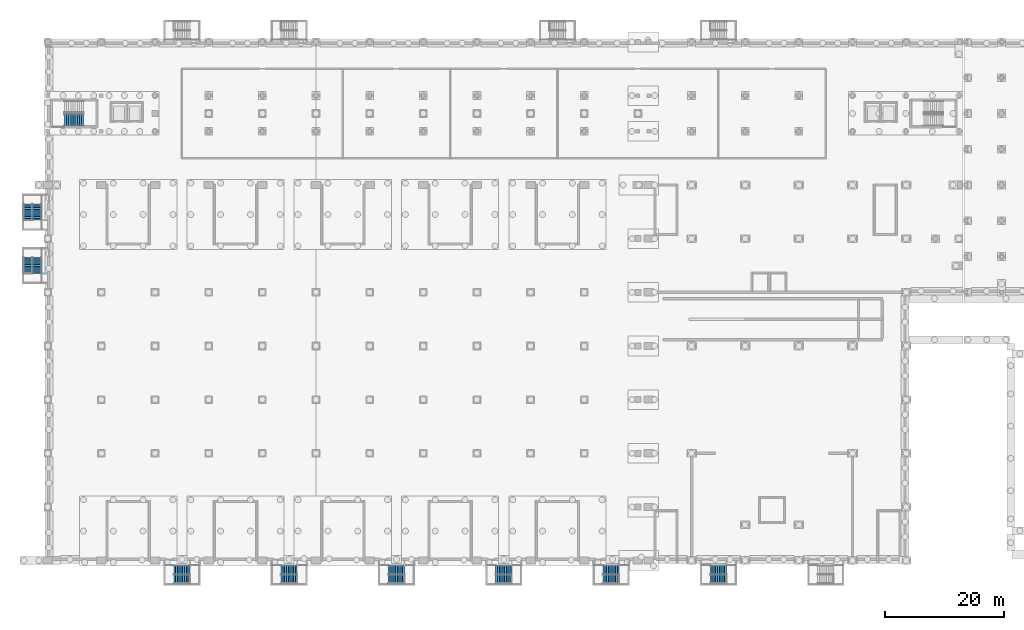
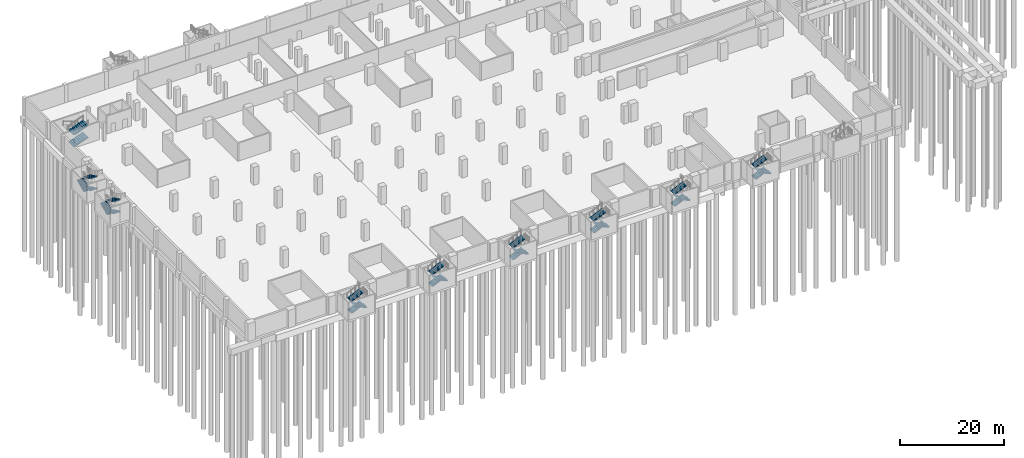
# One storey, part 18 of 29: 26 stair flights, 9 elements without a shape of their own.
"""IFC4 building model written with IfcOpenShell, lengths in metres."""

from ifc_helpers import new_model, si_unit, direction, frame, origin, place, context, subcontext, project, spatial, polyline, outline, extrude, material, type_object, element, aggregate, save


model = new_model("IFC4")

# Units and contexts
model_context = context("Model", 3, precision=1e-05, world=origin(), true_north=direction((0.0, 1.0)))
body_context = subcontext(model_context, "Body", "Model", "MODEL_VIEW")
ifc_project = project(units=[si_unit("LENGTHUNIT", "METRE"), si_unit("AREAUNIT", "SQUARE_METRE"), si_unit("VOLUMEUNIT", "CUBIC_METRE"), si_unit("PLANEANGLEUNIT", "RADIAN"), si_unit("MASSUNIT", "GRAM", prefix="KILO")], contexts=[model_context])

# Site, building, storey
site_placement = place(None, origin())
site = spatial("IfcSite", under=ifc_project, at=site_placement, CompositionType="ELEMENT")
building_placement = place(site_placement, origin())
building = spatial("IfcBuilding", under=site, at=building_placement, Name="Aravalli Gate Trade Fair Centre", CompositionType="ELEMENT")
storey_placement = place(building_placement, frame((0.0, 0.0, -8.39990234375)))
storey = spatial("IfcBuildingStorey", under=building, at=storey_placement, Name="B2", CompositionType="ELEMENT", Elevation=-8.39990234375)

# Stair, stair flights
ifc_material_1 = material(Name="Concrete M40", Category="concrete")
stair_type_1 = type_object("IfcStairType", Name="Basement exit stair 1500", PredefinedType="HALF_TURN_STAIR", material=ifc_material_1)
stair_1_placement = place(storey_placement, origin())
stair_1 = element("IfcStair", 1, at=stair_1_placement, inside=storey, type_object=stair_type_1, Name="Basement exit stair W1 B2 to B1", PredefinedType="HALF_TURN_STAIR")
stair_flight_type_1 = type_object("IfcStairFlightType", Name="Basement exit stair flight 1500", PredefinedType="STRAIGHT", material=ifc_material_1)
stair_flight_1_placement = place(storey_placement, frame((4.199951171875, 96.85009765625, 0.0), z_axis=(0.0, 0.0, 1.0), x_axis=(0.0, -1.0, 0.0)))
stair_flight_1 = element("IfcStairFlight", 2, at=stair_flight_1_placement, type_object=stair_flight_type_1, Name="BS1 flight 1", NumberOfRisers=10, NumberOfTreads=9, PredefinedType="STRAIGHT", RiserHeight=0.14, TreadLength=0.3, context=body_context, shape_type="SweptSolid", body=[
    extrude(outline(polyline([(0.0, 0.0), (0.0, 0.139892578125), (0.300048828125, 0.139892578125), (0.300048828125, 0.280029296875), (0.60009765625, 0.280029296875), (0.60009765625, 0.419921875), (0.89990234375, 0.419921875), (0.89990234375, 0.56005859375), (1.199951171875, 0.56005859375), (1.199951171875, 0.699951171875), (1.5, 0.699951171875), (1.5, 0.840087890625), (1.800048828125, 0.840087890625), (1.800048828125, 0.97998046875), (2.10009765625, 0.97998046875), (2.10009765625, 1.1201171875), (2.39990234375, 1.1201171875), (2.39990234375, 1.260009765625), (2.699951171875, 1.260009765625), (2.699951171875, 1.39990234375), (2.699951171875, 1.094482421875), (0.3544921875, 0.0), (0.0, 0.0)])), frame((0.0, 0.75, 0.0), z_axis=(0.0, -1.0, 0.0), x_axis=(1.0, 0.0, 0.0)), (0.0, 0.0, 1.0), 1.5),
])
stair_flight_2_placement = place(storey_placement, frame((2.699951171875, 94.14990234375, 1.39990234375), z_axis=(0.0, 0.0, 1.0), x_axis=(0.0, 1.0, 0.0)))
stair_flight_2 = element("IfcStairFlight", 3, at=stair_flight_2_placement, type_object=stair_flight_type_1, Name="BS1 flight 2", NumberOfRisers=10, NumberOfTreads=9, PredefinedType="STRAIGHT", RiserHeight=0.14, TreadLength=0.3, context=body_context, shape_type="SweptSolid", body=[
    extrude(outline(polyline([(0.0, 0.0), (0.0, 0.139892578125), (0.300048828125, 0.139892578125), (0.300048828125, 0.280029296875), (0.60009765625, 0.280029296875), (0.60009765625, 0.419921875), (0.89990234375, 0.419921875), (0.89990234375, 0.56005859375), (1.199951171875, 0.56005859375), (1.199951171875, 0.699951171875), (1.5, 0.699951171875), (1.5, 0.840087890625), (1.800048828125, 0.840087890625), (1.800048828125, 0.97998046875), (2.10009765625, 0.97998046875), (2.10009765625, 1.1201171875), (2.39990234375, 1.1201171875), (2.39990234375, 1.260009765625), (2.699951171875, 1.260009765625), (2.699951171875, 1.39990234375), (2.699951171875, 1.094482421875), (0.3544921875, 0.0), (0.0, 0.0)])), frame((0.0, 0.75, 0.0), z_axis=(0.0, -1.0, 0.0), x_axis=(1.0, 0.0, 0.0)), (0.0, 0.0, 1.0), 1.5),
])
stair_flight_3_placement = place(storey_placement, frame((4.199951171875, 96.85009765625, 2.7998046875), z_axis=(0.0, 0.0, 1.0), x_axis=(0.0, -1.0, 0.0)))
stair_flight_3 = element("IfcStairFlight", 4, at=stair_flight_3_placement, type_object=stair_flight_type_1, Name="BS1 flight 3", NumberOfRisers=10, NumberOfTreads=9, PredefinedType="STRAIGHT", RiserHeight=0.14, TreadLength=0.3, context=body_context, shape_type="SweptSolid", body=[
    extrude(outline(polyline([(0.0, 0.0), (0.0, 0.139892578125), (0.300048828125, 0.139892578125), (0.300048828125, 0.280029296875), (0.60009765625, 0.280029296875), (0.60009765625, 0.419921875), (0.89990234375, 0.419921875), (0.89990234375, 0.56005859375), (1.199951171875, 0.56005859375), (1.199951171875, 0.699951171875), (1.5, 0.699951171875), (1.5, 0.840087890625), (1.800048828125, 0.840087890625), (1.800048828125, 0.97998046875), (2.10009765625, 0.97998046875), (2.10009765625, 1.1201171875), (2.39990234375, 1.1201171875), (2.39990234375, 1.260009765625), (2.699951171875, 1.260009765625), (2.699951171875, 1.39990234375), (2.699951171875, 1.094482421875), (0.3544921875, 0.0), (0.0, 0.0)])), frame((0.0, 0.75, 0.0), z_axis=(0.0, -1.0, 0.0), x_axis=(1.0, 0.0, 0.0)), (0.0, 0.0, 1.0), 1.5),
])
aggregate(stair_1, [stair_flight_1, stair_flight_2, stair_flight_3])

stair_2_placement = place(storey_placement, origin())
stair_2 = element("IfcStair", 5, at=stair_2_placement, inside=storey, type_object=stair_type_1, Name="Basement exit stair W2 B2 to B1", PredefinedType="HALF_TURN_STAIR")
stair_flight_4_placement = place(storey_placement, frame((4.199951171875, 105.800048828125, 0.0), z_axis=(0.0, 0.0, 1.0), x_axis=(0.0, -1.0, 0.0)))
stair_flight_4 = element("IfcStairFlight", 6, at=stair_flight_4_placement, type_object=stair_flight_type_1, Name="BS1 flight 1", NumberOfRisers=10, NumberOfTreads=9, PredefinedType="STRAIGHT", RiserHeight=0.14, TreadLength=0.3, context=body_context, shape_type="SweptSolid", body=[
    extrude(outline(polyline([(0.0, 0.0), (0.0, 0.139892578125), (0.300048828125, 0.139892578125), (0.300048828125, 0.280029296875), (0.60009765625, 0.280029296875), (0.60009765625, 0.419921875), (0.89990234375, 0.419921875), (0.89990234375, 0.56005859375), (1.199951171875, 0.56005859375), (1.199951171875, 0.699951171875), (1.5, 0.699951171875), (1.5, 0.840087890625), (1.800048828125, 0.840087890625), (1.800048828125, 0.97998046875), (2.10009765625, 0.97998046875), (2.10009765625, 1.1201171875), (2.39990234375, 1.1201171875), (2.39990234375, 1.260009765625), (2.699951171875, 1.260009765625), (2.699951171875, 1.39990234375), (2.699951171875, 1.094482421875), (0.3544921875, 0.0), (0.0, 0.0)])), frame((0.0, 0.75, 0.0), z_axis=(0.0, -1.0, 0.0), x_axis=(1.0, 0.0, 0.0)), (0.0, 0.0, 1.0), 1.5),
])
stair_flight_5_placement = place(storey_placement, frame((2.699951171875, 103.10009765625, 1.39990234375), z_axis=(0.0, 0.0, 1.0), x_axis=(0.0, 1.0, 0.0)))
stair_flight_5 = element("IfcStairFlight", 7, at=stair_flight_5_placement, type_object=stair_flight_type_1, Name="BS1 flight 2", NumberOfRisers=10, NumberOfTreads=9, PredefinedType="STRAIGHT", RiserHeight=0.14, TreadLength=0.3, context=body_context, shape_type="SweptSolid", body=[
    extrude(outline(polyline([(0.0, 0.0), (0.0, 0.139892578125), (0.300048828125, 0.139892578125), (0.300048828125, 0.280029296875), (0.60009765625, 0.280029296875), (0.60009765625, 0.419921875), (0.89990234375, 0.419921875), (0.89990234375, 0.56005859375), (1.199951171875, 0.56005859375), (1.199951171875, 0.699951171875), (1.5, 0.699951171875), (1.5, 0.840087890625), (1.800048828125, 0.840087890625), (1.800048828125, 0.97998046875), (2.10009765625, 0.97998046875), (2.10009765625, 1.1201171875), (2.39990234375, 1.1201171875), (2.39990234375, 1.260009765625), (2.699951171875, 1.260009765625), (2.699951171875, 1.39990234375), (2.699951171875, 1.094482421875), (0.3544921875, 0.0), (0.0, 0.0)])), frame((0.0, 0.75, 0.0), z_axis=(0.0, -1.0, 0.0), x_axis=(1.0, 0.0, 0.0)), (0.0, 0.0, 1.0), 1.5),
])
stair_flight_6_placement = place(storey_placement, frame((4.199951171875, 105.800048828125, 2.7998046875), z_axis=(0.0, 0.0, 1.0), x_axis=(0.0, -1.0, 0.0)))
stair_flight_6 = element("IfcStairFlight", 8, at=stair_flight_6_placement, type_object=stair_flight_type_1, Name="BS1 flight 3", NumberOfRisers=10, NumberOfTreads=9, PredefinedType="STRAIGHT", RiserHeight=0.14, TreadLength=0.3, context=body_context, shape_type="SweptSolid", body=[
    extrude(outline(polyline([(0.0, 0.0), (0.0, 0.139892578125), (0.300048828125, 0.139892578125), (0.300048828125, 0.280029296875), (0.60009765625, 0.280029296875), (0.60009765625, 0.419921875), (0.89990234375, 0.419921875), (0.89990234375, 0.56005859375), (1.199951171875, 0.56005859375), (1.199951171875, 0.699951171875), (1.5, 0.699951171875), (1.5, 0.840087890625), (1.800048828125, 0.840087890625), (1.800048828125, 0.97998046875), (2.10009765625, 0.97998046875), (2.10009765625, 1.1201171875), (2.39990234375, 1.1201171875), (2.39990234375, 1.260009765625), (2.699951171875, 1.260009765625), (2.699951171875, 1.39990234375), (2.699951171875, 1.094482421875), (0.3544921875, 0.0), (0.0, 0.0)])), frame((0.0, 0.75, 0.0), z_axis=(0.0, -1.0, 0.0), x_axis=(1.0, 0.0, 0.0)), (0.0, 0.0, 1.0), 1.5),
])
aggregate(stair_2, [stair_flight_4, stair_flight_5, stair_flight_6])

stair_3_placement = place(storey_placement, origin())
stair_3 = element("IfcStair", 9, at=stair_3_placement, inside=storey, type_object=stair_type_1, Name="Basement exit stair S1 B2 to B1", PredefinedType="HALF_TURN_STAIR")
stair_flight_7_placement = place(storey_placement, frame((27.14990234375, 44.39990234375, 0.0), z_axis=(0.0, 0.0, 1.0), x_axis=(1.0, 0.0, 0.0)))
stair_flight_7 = element("IfcStairFlight", 10, at=stair_flight_7_placement, type_object=stair_flight_type_1, Name="BS1 flight 1", NumberOfRisers=10, NumberOfTreads=9, PredefinedType="STRAIGHT", RiserHeight=0.14, TreadLength=0.3, context=body_context, shape_type="SweptSolid", body=[
    extrude(outline(polyline([(0.0, 0.0), (0.0, 0.139892578125), (0.300048828125, 0.139892578125), (0.300048828125, 0.280029296875), (0.60009765625, 0.280029296875), (0.60009765625, 0.419921875), (0.89990234375, 0.419921875), (0.89990234375, 0.56005859375), (1.199951171875, 0.56005859375), (1.199951171875, 0.699951171875), (1.5, 0.699951171875), (1.5, 0.840087890625), (1.800048828125, 0.840087890625), (1.800048828125, 0.97998046875), (2.10009765625, 0.97998046875), (2.10009765625, 1.1201171875), (2.39990234375, 1.1201171875), (2.39990234375, 1.260009765625), (2.699951171875, 1.260009765625), (2.699951171875, 1.39990234375), (2.699951171875, 1.094482421875), (0.3544921875, 0.0), (0.0, 0.0)])), frame((0.0, 0.75, 0.0), z_axis=(0.0, -1.0, 0.0), x_axis=(1.0, 0.0, 0.0)), (0.0, 0.0, 1.0), 1.5),
])
stair_flight_8_placement = place(storey_placement, frame((29.85009765625, 42.89990234375, 1.39990234375), z_axis=(0.0, 0.0, 1.0), x_axis=(-1.0, 0.0, 0.0)))
stair_flight_8 = element("IfcStairFlight", 11, at=stair_flight_8_placement, type_object=stair_flight_type_1, Name="BS1 flight 2", NumberOfRisers=10, NumberOfTreads=9, PredefinedType="STRAIGHT", RiserHeight=0.14, TreadLength=0.3, context=body_context, shape_type="SweptSolid", body=[
    extrude(outline(polyline([(0.0, 0.0), (0.0, 0.139892578125), (0.300048828125, 0.139892578125), (0.300048828125, 0.280029296875), (0.60009765625, 0.280029296875), (0.60009765625, 0.419921875), (0.89990234375, 0.419921875), (0.89990234375, 0.56005859375), (1.199951171875, 0.56005859375), (1.199951171875, 0.699951171875), (1.5, 0.699951171875), (1.5, 0.840087890625), (1.800048828125, 0.840087890625), (1.800048828125, 0.97998046875), (2.10009765625, 0.97998046875), (2.10009765625, 1.1201171875), (2.39990234375, 1.1201171875), (2.39990234375, 1.260009765625), (2.699951171875, 1.260009765625), (2.699951171875, 1.39990234375), (2.699951171875, 1.094482421875), (0.3544921875, 0.0), (0.0, 0.0)])), frame((0.0, 0.75, 0.0), z_axis=(0.0, -1.0, 0.0), x_axis=(1.0, 0.0, 0.0)), (0.0, 0.0, 1.0), 1.5),
])
stair_flight_9_placement = place(storey_placement, frame((27.14990234375, 44.39990234375, 2.7998046875), z_axis=(0.0, 0.0, 1.0), x_axis=(1.0, 0.0, 0.0)))
stair_flight_9 = element("IfcStairFlight", 12, at=stair_flight_9_placement, type_object=stair_flight_type_1, Name="BS1 flight 3", NumberOfRisers=10, NumberOfTreads=9, PredefinedType="STRAIGHT", RiserHeight=0.14, TreadLength=0.3, context=body_context, shape_type="SweptSolid", body=[
    extrude(outline(polyline([(0.0, 0.0), (0.0, 0.139892578125), (0.300048828125, 0.139892578125), (0.300048828125, 0.280029296875), (0.60009765625, 0.280029296875), (0.60009765625, 0.419921875), (0.89990234375, 0.419921875), (0.89990234375, 0.56005859375), (1.199951171875, 0.56005859375), (1.199951171875, 0.699951171875), (1.5, 0.699951171875), (1.5, 0.840087890625), (1.800048828125, 0.840087890625), (1.800048828125, 0.97998046875), (2.10009765625, 0.97998046875), (2.10009765625, 1.1201171875), (2.39990234375, 1.1201171875), (2.39990234375, 1.260009765625), (2.699951171875, 1.260009765625), (2.699951171875, 1.39990234375), (2.699951171875, 1.094482421875), (0.3544921875, 0.0), (0.0, 0.0)])), frame((0.0, 0.75, 0.0), z_axis=(0.0, -1.0, 0.0), x_axis=(1.0, 0.0, 0.0)), (0.0, 0.0, 1.0), 1.5),
])
aggregate(stair_3, [stair_flight_7, stair_flight_8, stair_flight_9])

stair_4_placement = place(storey_placement, origin())
stair_4 = element("IfcStair", 13, at=stair_4_placement, inside=storey, type_object=stair_type_1, Name="Basement exit stair S2 B2 to B1", PredefinedType="HALF_TURN_STAIR")
stair_flight_10_placement = place(storey_placement, frame((45.14990234375, 44.39990234375, 0.0), z_axis=(0.0, 0.0, 1.0), x_axis=(1.0, 0.0, 0.0)))
stair_flight_10 = element("IfcStairFlight", 14, at=stair_flight_10_placement, type_object=stair_flight_type_1, Name="BS1 flight 1", NumberOfRisers=10, NumberOfTreads=9, PredefinedType="STRAIGHT", RiserHeight=0.14, TreadLength=0.3, context=body_context, shape_type="SweptSolid", body=[
    extrude(outline(polyline([(0.0, 0.0), (0.0, 0.139892578125), (0.300048828125, 0.139892578125), (0.300048828125, 0.280029296875), (0.60009765625, 0.280029296875), (0.60009765625, 0.419921875), (0.89990234375, 0.419921875), (0.89990234375, 0.56005859375), (1.199951171875, 0.56005859375), (1.199951171875, 0.699951171875), (1.5, 0.699951171875), (1.5, 0.840087890625), (1.800048828125, 0.840087890625), (1.800048828125, 0.97998046875), (2.10009765625, 0.97998046875), (2.10009765625, 1.1201171875), (2.39990234375, 1.1201171875), (2.39990234375, 1.260009765625), (2.699951171875, 1.260009765625), (2.699951171875, 1.39990234375), (2.699951171875, 1.094482421875), (0.3544921875, 0.0), (0.0, 0.0)])), frame((0.0, 0.75, 0.0), z_axis=(0.0, -1.0, 0.0), x_axis=(1.0, 0.0, 0.0)), (0.0, 0.0, 1.0), 1.5),
])
stair_flight_11_placement = place(storey_placement, frame((47.85009765625, 42.89990234375, 1.39990234375), z_axis=(0.0, 0.0, 1.0), x_axis=(-1.0, 0.0, 0.0)))
stair_flight_11 = element("IfcStairFlight", 15, at=stair_flight_11_placement, type_object=stair_flight_type_1, Name="BS1 flight 2", NumberOfRisers=10, NumberOfTreads=9, PredefinedType="STRAIGHT", RiserHeight=0.14, TreadLength=0.3, context=body_context, shape_type="SweptSolid", body=[
    extrude(outline(polyline([(0.0, 0.0), (0.0, 0.139892578125), (0.300048828125, 0.139892578125), (0.300048828125, 0.280029296875), (0.60009765625, 0.280029296875), (0.60009765625, 0.419921875), (0.89990234375, 0.419921875), (0.89990234375, 0.56005859375), (1.199951171875, 0.56005859375), (1.199951171875, 0.699951171875), (1.5, 0.699951171875), (1.5, 0.840087890625), (1.800048828125, 0.840087890625), (1.800048828125, 0.97998046875), (2.10009765625, 0.97998046875), (2.10009765625, 1.1201171875), (2.39990234375, 1.1201171875), (2.39990234375, 1.260009765625), (2.699951171875, 1.260009765625), (2.699951171875, 1.39990234375), (2.699951171875, 1.094482421875), (0.3544921875, 0.0), (0.0, 0.0)])), frame((0.0, 0.75, 0.0), z_axis=(0.0, -1.0, 0.0), x_axis=(1.0, 0.0, 0.0)), (0.0, 0.0, 1.0), 1.5),
])
stair_flight_12_placement = place(storey_placement, frame((45.14990234375, 44.39990234375, 2.7998046875), z_axis=(0.0, 0.0, 1.0), x_axis=(1.0, 0.0, 0.0)))
stair_flight_12 = element("IfcStairFlight", 16, at=stair_flight_12_placement, type_object=stair_flight_type_1, Name="BS1 flight 3", NumberOfRisers=10, NumberOfTreads=9, PredefinedType="STRAIGHT", RiserHeight=0.14, TreadLength=0.3, context=body_context, shape_type="SweptSolid", body=[
    extrude(outline(polyline([(0.0, 0.0), (0.0, 0.139892578125), (0.300048828125, 0.139892578125), (0.300048828125, 0.280029296875), (0.60009765625, 0.280029296875), (0.60009765625, 0.419921875), (0.89990234375, 0.419921875), (0.89990234375, 0.56005859375), (1.199951171875, 0.56005859375), (1.199951171875, 0.699951171875), (1.5, 0.699951171875), (1.5, 0.840087890625), (1.800048828125, 0.840087890625), (1.800048828125, 0.97998046875), (2.10009765625, 0.97998046875), (2.10009765625, 1.1201171875), (2.39990234375, 1.1201171875), (2.39990234375, 1.260009765625), (2.699951171875, 1.260009765625), (2.699951171875, 1.39990234375), (2.699951171875, 1.094482421875), (0.3544921875, 0.0), (0.0, 0.0)])), frame((0.0, 0.75, 0.0), z_axis=(0.0, -1.0, 0.0), x_axis=(1.0, 0.0, 0.0)), (0.0, 0.0, 1.0), 1.5),
])
aggregate(stair_4, [stair_flight_10, stair_flight_11, stair_flight_12])

stair_5_placement = place(storey_placement, origin())
stair_5 = element("IfcStair", 17, at=stair_5_placement, inside=storey, type_object=stair_type_1, Name="Basement exit stair S3 B2 to B1", PredefinedType="HALF_TURN_STAIR")
stair_flight_13_placement = place(storey_placement, frame((63.14990234375, 44.39990234375, 0.0), z_axis=(0.0, 0.0, 1.0), x_axis=(1.0, 0.0, 0.0)))
stair_flight_13 = element("IfcStairFlight", 18, at=stair_flight_13_placement, type_object=stair_flight_type_1, Name="BS1 flight 1", NumberOfRisers=10, NumberOfTreads=9, PredefinedType="STRAIGHT", RiserHeight=0.14, TreadLength=0.3, context=body_context, shape_type="SweptSolid", body=[
    extrude(outline(polyline([(0.0, 0.0), (0.0, 0.139892578125), (0.300048828125, 0.139892578125), (0.300048828125, 0.280029296875), (0.60009765625, 0.280029296875), (0.60009765625, 0.419921875), (0.89990234375, 0.419921875), (0.89990234375, 0.56005859375), (1.199951171875, 0.56005859375), (1.199951171875, 0.699951171875), (1.5, 0.699951171875), (1.5, 0.840087890625), (1.800048828125, 0.840087890625), (1.800048828125, 0.97998046875), (2.10009765625, 0.97998046875), (2.10009765625, 1.1201171875), (2.39990234375, 1.1201171875), (2.39990234375, 1.260009765625), (2.699951171875, 1.260009765625), (2.699951171875, 1.39990234375), (2.699951171875, 1.094482421875), (0.3544921875, 0.0), (0.0, 0.0)])), frame((0.0, 0.75, 0.0), z_axis=(0.0, -1.0, 0.0), x_axis=(1.0, 0.0, 0.0)), (0.0, 0.0, 1.0), 1.5),
])
stair_flight_14_placement = place(storey_placement, frame((65.85009765625, 42.89990234375, 1.39990234375), z_axis=(0.0, 0.0, 1.0), x_axis=(-1.0, 0.0, 0.0)))
stair_flight_14 = element("IfcStairFlight", 19, at=stair_flight_14_placement, type_object=stair_flight_type_1, Name="BS1 flight 2", NumberOfRisers=10, NumberOfTreads=9, PredefinedType="STRAIGHT", RiserHeight=0.14, TreadLength=0.3, context=body_context, shape_type="SweptSolid", body=[
    extrude(outline(polyline([(0.0, 0.0), (0.0, 0.139892578125), (0.300048828125, 0.139892578125), (0.300048828125, 0.280029296875), (0.60009765625, 0.280029296875), (0.60009765625, 0.419921875), (0.89990234375, 0.419921875), (0.89990234375, 0.56005859375), (1.199951171875, 0.56005859375), (1.199951171875, 0.699951171875), (1.5, 0.699951171875), (1.5, 0.840087890625), (1.800048828125, 0.840087890625), (1.800048828125, 0.97998046875), (2.10009765625, 0.97998046875), (2.10009765625, 1.1201171875), (2.39990234375, 1.1201171875), (2.39990234375, 1.260009765625), (2.699951171875, 1.260009765625), (2.699951171875, 1.39990234375), (2.699951171875, 1.094482421875), (0.3544921875, 0.0), (0.0, 0.0)])), frame((0.0, 0.75, 0.0), z_axis=(0.0, -1.0, 0.0), x_axis=(1.0, 0.0, 0.0)), (0.0, 0.0, 1.0), 1.5),
])
stair_flight_15_placement = place(storey_placement, frame((63.14990234375, 44.39990234375, 2.7998046875), z_axis=(0.0, 0.0, 1.0), x_axis=(1.0, 0.0, 0.0)))
stair_flight_15 = element("IfcStairFlight", 20, at=stair_flight_15_placement, type_object=stair_flight_type_1, Name="BS1 flight 3", NumberOfRisers=10, NumberOfTreads=9, PredefinedType="STRAIGHT", RiserHeight=0.14, TreadLength=0.3, context=body_context, shape_type="SweptSolid", body=[
    extrude(outline(polyline([(0.0, 0.0), (0.0, 0.139892578125), (0.300048828125, 0.139892578125), (0.300048828125, 0.280029296875), (0.60009765625, 0.280029296875), (0.60009765625, 0.419921875), (0.89990234375, 0.419921875), (0.89990234375, 0.56005859375), (1.199951171875, 0.56005859375), (1.199951171875, 0.699951171875), (1.5, 0.699951171875), (1.5, 0.840087890625), (1.800048828125, 0.840087890625), (1.800048828125, 0.97998046875), (2.10009765625, 0.97998046875), (2.10009765625, 1.1201171875), (2.39990234375, 1.1201171875), (2.39990234375, 1.260009765625), (2.699951171875, 1.260009765625), (2.699951171875, 1.39990234375), (2.699951171875, 1.094482421875), (0.3544921875, 0.0), (0.0, 0.0)])), frame((0.0, 0.75, 0.0), z_axis=(0.0, -1.0, 0.0), x_axis=(1.0, 0.0, 0.0)), (0.0, 0.0, 1.0), 1.5),
])
aggregate(stair_5, [stair_flight_13, stair_flight_14, stair_flight_15])

stair_6_placement = place(storey_placement, origin())
stair_6 = element("IfcStair", 21, at=stair_6_placement, inside=storey, type_object=stair_type_1, Name="Basement exit stair S4 B2 to B1", PredefinedType="HALF_TURN_STAIR")
stair_flight_16_placement = place(storey_placement, frame((81.14990234375, 44.39990234375, 0.0), z_axis=(0.0, 0.0, 1.0), x_axis=(1.0, 0.0, 0.0)))
stair_flight_16 = element("IfcStairFlight", 22, at=stair_flight_16_placement, type_object=stair_flight_type_1, Name="BS1 flight 1", NumberOfRisers=10, NumberOfTreads=9, PredefinedType="STRAIGHT", RiserHeight=0.14, TreadLength=0.3, context=body_context, shape_type="SweptSolid", body=[
    extrude(outline(polyline([(0.0, 0.0), (0.0, 0.139892578125), (0.300048828125, 0.139892578125), (0.300048828125, 0.280029296875), (0.60009765625, 0.280029296875), (0.60009765625, 0.419921875), (0.89990234375, 0.419921875), (0.89990234375, 0.56005859375), (1.199951171875, 0.56005859375), (1.199951171875, 0.699951171875), (1.5, 0.699951171875), (1.5, 0.840087890625), (1.800048828125, 0.840087890625), (1.800048828125, 0.97998046875), (2.10009765625, 0.97998046875), (2.10009765625, 1.1201171875), (2.39990234375, 1.1201171875), (2.39990234375, 1.260009765625), (2.699951171875, 1.260009765625), (2.699951171875, 1.39990234375), (2.699951171875, 1.094482421875), (0.3544921875, 0.0), (0.0, 0.0)])), frame((0.0, 0.75, 0.0), z_axis=(0.0, -1.0, 0.0), x_axis=(1.0, 0.0, 0.0)), (0.0, 0.0, 1.0), 1.5),
])
stair_flight_17_placement = place(storey_placement, frame((83.85009765625, 42.89990234375, 1.39990234375), z_axis=(0.0, 0.0, 1.0), x_axis=(-1.0, 0.0, 0.0)))
stair_flight_17 = element("IfcStairFlight", 23, at=stair_flight_17_placement, type_object=stair_flight_type_1, Name="BS1 flight 2", NumberOfRisers=10, NumberOfTreads=9, PredefinedType="STRAIGHT", RiserHeight=0.14, TreadLength=0.3, context=body_context, shape_type="SweptSolid", body=[
    extrude(outline(polyline([(0.0, 0.0), (0.0, 0.139892578125), (0.300048828125, 0.139892578125), (0.300048828125, 0.280029296875), (0.60009765625, 0.280029296875), (0.60009765625, 0.419921875), (0.89990234375, 0.419921875), (0.89990234375, 0.56005859375), (1.199951171875, 0.56005859375), (1.199951171875, 0.699951171875), (1.5, 0.699951171875), (1.5, 0.840087890625), (1.800048828125, 0.840087890625), (1.800048828125, 0.97998046875), (2.10009765625, 0.97998046875), (2.10009765625, 1.1201171875), (2.39990234375, 1.1201171875), (2.39990234375, 1.260009765625), (2.699951171875, 1.260009765625), (2.699951171875, 1.39990234375), (2.699951171875, 1.094482421875), (0.3544921875, 0.0), (0.0, 0.0)])), frame((0.0, 0.75, 0.0), z_axis=(0.0, -1.0, 0.0), x_axis=(1.0, 0.0, 0.0)), (0.0, 0.0, 1.0), 1.5),
])
stair_flight_18_placement = place(storey_placement, frame((81.14990234375, 44.39990234375, 2.7998046875), z_axis=(0.0, 0.0, 1.0), x_axis=(1.0, 0.0, 0.0)))
stair_flight_18 = element("IfcStairFlight", 24, at=stair_flight_18_placement, type_object=stair_flight_type_1, Name="BS1 flight 3", NumberOfRisers=10, NumberOfTreads=9, PredefinedType="STRAIGHT", RiserHeight=0.14, TreadLength=0.3, context=body_context, shape_type="SweptSolid", body=[
    extrude(outline(polyline([(0.0, 0.0), (0.0, 0.139892578125), (0.300048828125, 0.139892578125), (0.300048828125, 0.280029296875), (0.60009765625, 0.280029296875), (0.60009765625, 0.419921875), (0.89990234375, 0.419921875), (0.89990234375, 0.56005859375), (1.199951171875, 0.56005859375), (1.199951171875, 0.699951171875), (1.5, 0.699951171875), (1.5, 0.840087890625), (1.800048828125, 0.840087890625), (1.800048828125, 0.97998046875), (2.10009765625, 0.97998046875), (2.10009765625, 1.1201171875), (2.39990234375, 1.1201171875), (2.39990234375, 1.260009765625), (2.699951171875, 1.260009765625), (2.699951171875, 1.39990234375), (2.699951171875, 1.094482421875), (0.3544921875, 0.0), (0.0, 0.0)])), frame((0.0, 0.75, 0.0), z_axis=(0.0, -1.0, 0.0), x_axis=(1.0, 0.0, 0.0)), (0.0, 0.0, 1.0), 1.5),
])
aggregate(stair_6, [stair_flight_16, stair_flight_17, stair_flight_18])

stair_7_placement = place(storey_placement, origin())
stair_7 = element("IfcStair", 25, at=stair_7_placement, inside=storey, type_object=stair_type_1, Name="Basement exit stair S5 B2 to B1", PredefinedType="HALF_TURN_STAIR")
stair_flight_19_placement = place(storey_placement, frame((99.14990234375, 44.39990234375, 0.0), z_axis=(0.0, 0.0, 1.0), x_axis=(1.0, 0.0, 0.0)))
stair_flight_19 = element("IfcStairFlight", 26, at=stair_flight_19_placement, type_object=stair_flight_type_1, Name="BS1 flight 1", NumberOfRisers=10, NumberOfTreads=9, PredefinedType="STRAIGHT", RiserHeight=0.14, TreadLength=0.3, context=body_context, shape_type="SweptSolid", body=[
    extrude(outline(polyline([(0.0, 0.0), (0.0, 0.139892578125), (0.300048828125, 0.139892578125), (0.300048828125, 0.280029296875), (0.60009765625, 0.280029296875), (0.60009765625, 0.419921875), (0.89990234375, 0.419921875), (0.89990234375, 0.56005859375), (1.199951171875, 0.56005859375), (1.199951171875, 0.699951171875), (1.5, 0.699951171875), (1.5, 0.840087890625), (1.800048828125, 0.840087890625), (1.800048828125, 0.97998046875), (2.10009765625, 0.97998046875), (2.10009765625, 1.1201171875), (2.39990234375, 1.1201171875), (2.39990234375, 1.260009765625), (2.699951171875, 1.260009765625), (2.699951171875, 1.39990234375), (2.699951171875, 1.094482421875), (0.3544921875, 0.0), (0.0, 0.0)])), frame((0.0, 0.75, 0.0), z_axis=(0.0, -1.0, 0.0), x_axis=(1.0, 0.0, 0.0)), (0.0, 0.0, 1.0), 1.5),
])
stair_flight_20_placement = place(storey_placement, frame((101.85009765625, 42.89990234375, 1.39990234375), z_axis=(0.0, 0.0, 1.0), x_axis=(-1.0, 0.0, 0.0)))
stair_flight_20 = element("IfcStairFlight", 27, at=stair_flight_20_placement, type_object=stair_flight_type_1, Name="BS1 flight 2", NumberOfRisers=10, NumberOfTreads=9, PredefinedType="STRAIGHT", RiserHeight=0.14, TreadLength=0.3, context=body_context, shape_type="SweptSolid", body=[
    extrude(outline(polyline([(0.0, 0.0), (0.0, 0.139892578125), (0.300048828125, 0.139892578125), (0.300048828125, 0.280029296875), (0.60009765625, 0.280029296875), (0.60009765625, 0.419921875), (0.89990234375, 0.419921875), (0.89990234375, 0.56005859375), (1.199951171875, 0.56005859375), (1.199951171875, 0.699951171875), (1.5, 0.699951171875), (1.5, 0.840087890625), (1.800048828125, 0.840087890625), (1.800048828125, 0.97998046875), (2.10009765625, 0.97998046875), (2.10009765625, 1.1201171875), (2.39990234375, 1.1201171875), (2.39990234375, 1.260009765625), (2.699951171875, 1.260009765625), (2.699951171875, 1.39990234375), (2.699951171875, 1.094482421875), (0.3544921875, 0.0), (0.0, 0.0)])), frame((0.0, 0.75, 0.0), z_axis=(0.0, -1.0, 0.0), x_axis=(1.0, 0.0, 0.0)), (0.0, 0.0, 1.0), 1.5),
])
stair_flight_21_placement = place(storey_placement, frame((99.14990234375, 44.39990234375, 2.7998046875), z_axis=(0.0, 0.0, 1.0), x_axis=(1.0, 0.0, 0.0)))
stair_flight_21 = element("IfcStairFlight", 28, at=stair_flight_21_placement, type_object=stair_flight_type_1, Name="BS1 flight 3", NumberOfRisers=10, NumberOfTreads=9, PredefinedType="STRAIGHT", RiserHeight=0.14, TreadLength=0.3, context=body_context, shape_type="SweptSolid", body=[
    extrude(outline(polyline([(0.0, 0.0), (0.0, 0.139892578125), (0.300048828125, 0.139892578125), (0.300048828125, 0.280029296875), (0.60009765625, 0.280029296875), (0.60009765625, 0.419921875), (0.89990234375, 0.419921875), (0.89990234375, 0.56005859375), (1.199951171875, 0.56005859375), (1.199951171875, 0.699951171875), (1.5, 0.699951171875), (1.5, 0.840087890625), (1.800048828125, 0.840087890625), (1.800048828125, 0.97998046875), (2.10009765625, 0.97998046875), (2.10009765625, 1.1201171875), (2.39990234375, 1.1201171875), (2.39990234375, 1.260009765625), (2.699951171875, 1.260009765625), (2.699951171875, 1.39990234375), (2.699951171875, 1.094482421875), (0.3544921875, 0.0), (0.0, 0.0)])), frame((0.0, 0.75, 0.0), z_axis=(0.0, -1.0, 0.0), x_axis=(1.0, 0.0, 0.0)), (0.0, 0.0, 1.0), 1.5),
])
aggregate(stair_7, [stair_flight_19, stair_flight_20, stair_flight_21])

stair_8_placement = place(storey_placement, origin())
stair_8 = element("IfcStair", 29, at=stair_8_placement, inside=storey, type_object=stair_type_1, Name="Basement exit stair S6 B2 to B1", PredefinedType="HALF_TURN_STAIR")
stair_flight_22_placement = place(storey_placement, frame((117.14990234375, 44.39990234375, 0.0), z_axis=(0.0, 0.0, 1.0), x_axis=(1.0, 0.0, 0.0)))
stair_flight_22 = element("IfcStairFlight", 30, at=stair_flight_22_placement, type_object=stair_flight_type_1, Name="BS1 flight 1", NumberOfRisers=10, NumberOfTreads=9, PredefinedType="STRAIGHT", RiserHeight=0.14, TreadLength=0.3, context=body_context, shape_type="SweptSolid", body=[
    extrude(outline(polyline([(0.0, 0.0), (0.0, 0.139892578125), (0.300048828125, 0.139892578125), (0.300048828125, 0.280029296875), (0.60009765625, 0.280029296875), (0.60009765625, 0.419921875), (0.89990234375, 0.419921875), (0.89990234375, 0.56005859375), (1.199951171875, 0.56005859375), (1.199951171875, 0.699951171875), (1.5, 0.699951171875), (1.5, 0.840087890625), (1.800048828125, 0.840087890625), (1.800048828125, 0.97998046875), (2.10009765625, 0.97998046875), (2.10009765625, 1.1201171875), (2.39990234375, 1.1201171875), (2.39990234375, 1.260009765625), (2.699951171875, 1.260009765625), (2.699951171875, 1.39990234375), (2.699951171875, 1.094482421875), (0.3544921875, 0.0), (0.0, 0.0)])), frame((0.0, 0.75, 0.0), z_axis=(0.0, -1.0, 0.0), x_axis=(1.0, 0.0, 0.0)), (0.0, 0.0, 1.0), 1.5),
])
stair_flight_23_placement = place(storey_placement, frame((119.85009765625, 42.89990234375, 1.39990234375), z_axis=(0.0, 0.0, 1.0), x_axis=(-1.0, 0.0, 0.0)))
stair_flight_23 = element("IfcStairFlight", 31, at=stair_flight_23_placement, type_object=stair_flight_type_1, Name="BS1 flight 2", NumberOfRisers=10, NumberOfTreads=9, PredefinedType="STRAIGHT", RiserHeight=0.14, TreadLength=0.3, context=body_context, shape_type="SweptSolid", body=[
    extrude(outline(polyline([(0.0, 0.0), (0.0, 0.139892578125), (0.300048828125, 0.139892578125), (0.300048828125, 0.280029296875), (0.60009765625, 0.280029296875), (0.60009765625, 0.419921875), (0.89990234375, 0.419921875), (0.89990234375, 0.56005859375), (1.199951171875, 0.56005859375), (1.199951171875, 0.699951171875), (1.5, 0.699951171875), (1.5, 0.840087890625), (1.800048828125, 0.840087890625), (1.800048828125, 0.97998046875), (2.10009765625, 0.97998046875), (2.10009765625, 1.1201171875), (2.39990234375, 1.1201171875), (2.39990234375, 1.260009765625), (2.699951171875, 1.260009765625), (2.699951171875, 1.39990234375), (2.699951171875, 1.094482421875), (0.3544921875, 0.0), (0.0, 0.0)])), frame((0.0, 0.75, 0.0), z_axis=(0.0, -1.0, 0.0), x_axis=(1.0, 0.0, 0.0)), (0.0, 0.0, 1.0), 1.5),
])
stair_flight_24_placement = place(storey_placement, frame((117.14990234375, 44.39990234375, 2.7998046875), z_axis=(0.0, 0.0, 1.0), x_axis=(1.0, 0.0, 0.0)))
stair_flight_24 = element("IfcStairFlight", 32, at=stair_flight_24_placement, type_object=stair_flight_type_1, Name="BS1 flight 3", NumberOfRisers=10, NumberOfTreads=9, PredefinedType="STRAIGHT", RiserHeight=0.14, TreadLength=0.3, context=body_context, shape_type="SweptSolid", body=[
    extrude(outline(polyline([(0.0, 0.0), (0.0, 0.139892578125), (0.300048828125, 0.139892578125), (0.300048828125, 0.280029296875), (0.60009765625, 0.280029296875), (0.60009765625, 0.419921875), (0.89990234375, 0.419921875), (0.89990234375, 0.56005859375), (1.199951171875, 0.56005859375), (1.199951171875, 0.699951171875), (1.5, 0.699951171875), (1.5, 0.840087890625), (1.800048828125, 0.840087890625), (1.800048828125, 0.97998046875), (2.10009765625, 0.97998046875), (2.10009765625, 1.1201171875), (2.39990234375, 1.1201171875), (2.39990234375, 1.260009765625), (2.699951171875, 1.260009765625), (2.699951171875, 1.39990234375), (2.699951171875, 1.094482421875), (0.3544921875, 0.0), (0.0, 0.0)])), frame((0.0, 0.75, 0.0), z_axis=(0.0, -1.0, 0.0), x_axis=(1.0, 0.0, 0.0)), (0.0, 0.0, 1.0), 1.5),
])
aggregate(stair_8, [stair_flight_22, stair_flight_23, stair_flight_24])

ifc_material_2 = material(Name="Concrete M30", Category="concrete")
stair_type_2 = type_object("IfcStairType", Name="Concourse stair, 2000 wide", PredefinedType="HALF_TURN_STAIR", material=ifc_material_2)
stair_9_placement = place(storey_placement, origin())
stair_9 = element("IfcStair", 33, at=stair_9_placement, inside=storey, type_object=stair_type_2, Name="Stair WS B2", PredefinedType="HALF_TURN_STAIR")
stair_flight_type_2 = type_object("IfcStairFlightType", Name="Concourse stair flight 2000", PredefinedType="STRAIGHT", material=ifc_material_2)
stair_flight_25_placement = place(storey_placement, frame((8.800048828125, 119.89990234375, 0.0), z_axis=(0.0, 0.0, 1.0), x_axis=(1.0, 0.0, 0.0)))
stair_flight_25 = element("IfcStairFlight", 34, at=stair_flight_25_placement, type_object=stair_flight_type_2, Name="STWS-B2 flight 1", NumberOfRisers=10, NumberOfTreads=9, PredefinedType="STRAIGHT", RiserHeight=0.14, TreadLength=0.36, context=body_context, shape_type="SweptSolid", body=[
    extrude(outline(polyline([(0.0, 0.0), (0.0, 0.139892578125), (0.360107421875, 0.139892578125), (0.360107421875, 0.280029296875), (0.719970703125, 0.280029296875), (0.719970703125, 0.419921875), (1.080078125, 0.419921875), (1.080078125, 0.56005859375), (1.43994140625, 0.56005859375), (1.43994140625, 0.699951171875), (1.800048828125, 0.699951171875), (1.800048828125, 0.840087890625), (2.159912109375, 0.840087890625), (2.159912109375, 0.97998046875), (2.52001953125, 0.97998046875), (2.52001953125, 1.1201171875), (2.8798828125, 1.1201171875), (2.8798828125, 1.260009765625), (3.239990234375, 1.260009765625), (3.239990234375, 1.39990234375), (3.239990234375, 1.04541015625), (0.5517578125, 0.0), (0.0, 0.0)])), frame((0.0, 1.0, 0.0), z_axis=(0.0, -1.0, 0.0), x_axis=(1.0, 0.0, 0.0)), (0.0, 0.0, 1.0), 2.0),
])
stair_flight_26_placement = place(storey_placement, frame((8.800048828125, 119.89990234375, 2.7998046875), z_axis=(0.0, 0.0, 1.0), x_axis=(1.0, 0.0, 0.0)))
stair_flight_26 = element("IfcStairFlight", 35, at=stair_flight_26_placement, type_object=stair_flight_type_2, Name="STWS-B2 flight 3", NumberOfRisers=10, NumberOfTreads=9, PredefinedType="STRAIGHT", RiserHeight=0.14, TreadLength=0.36, context=body_context, shape_type="SweptSolid", body=[
    extrude(outline(polyline([(0.0, 0.0), (0.0, 0.139892578125), (0.360107421875, 0.139892578125), (0.360107421875, 0.280029296875), (0.719970703125, 0.280029296875), (0.719970703125, 0.419921875), (1.080078125, 0.419921875), (1.080078125, 0.56005859375), (1.43994140625, 0.56005859375), (1.43994140625, 0.699951171875), (1.800048828125, 0.699951171875), (1.800048828125, 0.840087890625), (2.159912109375, 0.840087890625), (2.159912109375, 0.97998046875), (2.52001953125, 0.97998046875), (2.52001953125, 1.1201171875), (2.8798828125, 1.1201171875), (2.8798828125, 1.260009765625), (3.239990234375, 1.260009765625), (3.239990234375, 1.39990234375), (3.239990234375, 1.04541015625), (0.5517578125, 0.0), (0.0, 0.0)])), frame((0.0, 1.0, 0.0), z_axis=(0.0, -1.0, 0.0), x_axis=(1.0, 0.0, 0.0)), (0.0, 0.0, 1.0), 2.0),
])
aggregate(stair_9, [stair_flight_25, stair_flight_26])

save(model, "model.ifc")
